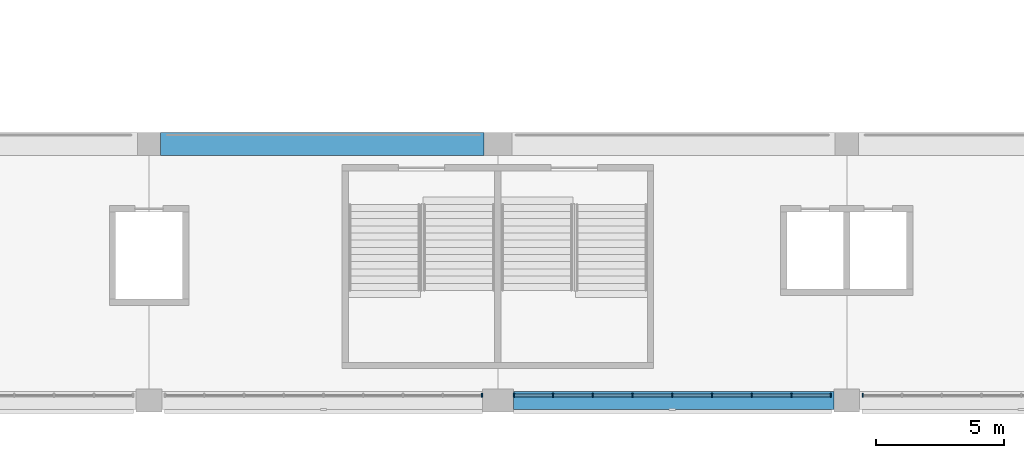
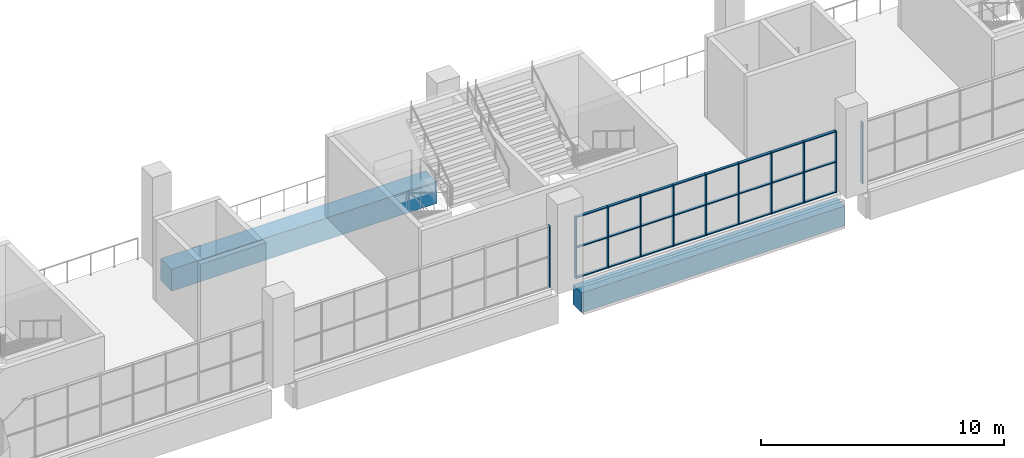
# One storey, part 10 of 177: 35 members, 2 beams, 3 elements without a shape of their own.
"""IFC4 building model written with IfcOpenShell, lengths in metres."""

from ifc_helpers import new_model, si_unit, direction, frame, origin, origin_2d, place, context, subcontext, project, spatial, rectangle, extrude, material, material_profile, profile_set, type_object, element, aggregate, save


model = new_model("IFC4")

# Units and contexts
model_context = context("Model", 3, precision=1e-05, world=origin(), true_north=direction((0.0, 1.0)))
body_context = subcontext(model_context, "Body", "Model", "MODEL_VIEW")
ifc_project = project(units=[si_unit("LENGTHUNIT", "METRE"), si_unit("AREAUNIT", "SQUARE_METRE"), si_unit("VOLUMEUNIT", "CUBIC_METRE"), si_unit("PLANEANGLEUNIT", "RADIAN"), si_unit("MASSUNIT", "GRAM", prefix="KILO")], contexts=[model_context])

# Site, building, storey
site_placement = place(None, origin())
site = spatial("IfcSite", under=ifc_project, at=site_placement, CompositionType="ELEMENT")
building_placement = place(site_placement, origin())
building = spatial("IfcBuilding", under=site, at=building_placement, Name="Ogive Plaza Stadium", CompositionType="ELEMENT")
storey_placement = place(building_placement, frame((0.0, 0.0, 18.0)))
storey = spatial("IfcBuildingStorey", under=building, at=storey_placement, Name="L04", CompositionType="ELEMENT", Elevation=18.0)

# Curtain wall, member
ifc_material_1 = material(Name="Bronze-anodised aluminium with laminated glass", Category="aluminium")
curtain_wall_type = type_object("IfcCurtainWallType", Name="Lancet curtain wall", PredefinedType="NOTDEFINED", material=ifc_material_1)
curtain_wall_1_placement = place(storey_placement, origin())
curtain_wall_1 = element("IfcCurtainWall", 1, at=curtain_wall_1_placement, inside=storey, type_object=curtain_wall_type, Name="CURTAIN WALL B12 L04", PredefinedType="NOTDEFINED")
ifc_material_2 = material(Name="Bronze-anodised aluminium", Category="aluminium")
ifc_material_profile_1 = material_profile(ifc_material_2, rectangle(XDim=0.14990234375, YDim=0.050048828125, at=origin_2d()), Name="AL 150x50")
ifc_profile_set_1 = profile_set([ifc_material_profile_1], Name="Bronze-anodised aluminium")
member_type_1 = type_object("IfcMemberType", Name="Curtain wall mullion 50x150", PredefinedType="MULLION", material=ifc_profile_set_1)
member_1_placement = place(storey_placement, frame((21.02490234375, -102.300048828125, 0.0), z_axis=(0.0, 0.0, 1.0), x_axis=(0.0, -1.0, 0.0)))
member_1 = element("IfcMember", 2, at=member_1_placement, type_object=member_type_1, Name="CW-B12-L04 mullion 9", PredefinedType="MULLION", context=body_context, shape_type="SweptSolid", body=[
    extrude(rectangle(XDim=0.14990234375, YDim=0.050048828125, at=origin_2d()), origin(), (0.0, 0.0, 1.0), 3.090087890625),
])
aggregate(curtain_wall_1, [member_1])

# Curtain wall, members
curtain_wall_2_placement = place(storey_placement, origin())
curtain_wall_2 = element("IfcCurtainWall", 3, at=curtain_wall_2_placement, inside=storey, type_object=curtain_wall_type, Name="CURTAIN WALL B13 L04", PredefinedType="NOTDEFINED")
member_2_placement = place(storey_placement, frame((19.77490234375, -102.300048828125, 0.0), z_axis=(0.0, 0.0, 1.0), x_axis=(0.0, -1.0, 0.0)))
member_2 = element("IfcMember", 4, at=member_2_placement, type_object=member_type_1, Name="CW-B13-L04 mullion 1", PredefinedType="MULLION", context=body_context, shape_type="SweptSolid", body=[
    extrude(rectangle(XDim=0.14990234375, YDim=0.050048828125, at=origin_2d()), origin(), (0.0, 0.0, 1.0), 3.090087890625),
])
member_3_placement = place(storey_placement, frame((18.25, -102.300048828125, 0.0), z_axis=(0.0, 0.0, 1.0), x_axis=(0.0, -1.0, 0.0)))
member_3 = element("IfcMember", 5, at=member_3_placement, type_object=member_type_1, Name="CW-B13-L04 mullion 2", PredefinedType="MULLION", context=body_context, shape_type="SweptSolid", body=[
    extrude(rectangle(XDim=0.14990234375, YDim=0.050048828125, at=origin_2d()), origin(), (0.0, 0.0, 1.0), 3.090087890625),
])
member_4_placement = place(storey_placement, frame((16.699951171875, -102.300048828125, 0.0), z_axis=(0.0, 0.0, 1.0), x_axis=(0.0, -1.0, 0.0)))
member_4 = element("IfcMember", 6, at=member_4_placement, type_object=member_type_1, Name="CW-B13-L04 mullion 3", PredefinedType="MULLION", context=body_context, shape_type="SweptSolid", body=[
    extrude(rectangle(XDim=0.14990234375, YDim=0.050048828125, at=origin_2d()), origin(), (0.0, 0.0, 1.0), 3.090087890625),
])
member_5_placement = place(storey_placement, frame((15.14990234375, -102.300048828125, 0.0), z_axis=(0.0, 0.0, 1.0), x_axis=(0.0, -1.0, 0.0)))
member_5 = element("IfcMember", 7, at=member_5_placement, type_object=member_type_1, Name="CW-B13-L04 mullion 4", PredefinedType="MULLION", context=body_context, shape_type="SweptSolid", body=[
    extrude(rectangle(XDim=0.14990234375, YDim=0.050048828125, at=origin_2d()), origin(), (0.0, 0.0, 1.0), 3.090087890625),
])
member_6_placement = place(storey_placement, frame((13.60009765625, -102.300048828125, 0.0), z_axis=(0.0, 0.0, 1.0), x_axis=(0.0, -1.0, 0.0)))
member_6 = element("IfcMember", 8, at=member_6_placement, type_object=member_type_1, Name="CW-B13-L04 mullion 5", PredefinedType="MULLION", context=body_context, shape_type="SweptSolid", body=[
    extrude(rectangle(XDim=0.14990234375, YDim=0.050048828125, at=origin_2d()), origin(), (0.0, 0.0, 1.0), 3.090087890625),
])
member_7_placement = place(storey_placement, frame((12.050048828125, -102.300048828125, 0.0), z_axis=(0.0, 0.0, 1.0), x_axis=(0.0, -1.0, 0.0)))
member_7 = element("IfcMember", 9, at=member_7_placement, type_object=member_type_1, Name="CW-B13-L04 mullion 6", PredefinedType="MULLION", context=body_context, shape_type="SweptSolid", body=[
    extrude(rectangle(XDim=0.14990234375, YDim=0.050048828125, at=origin_2d()), origin(), (0.0, 0.0, 1.0), 3.090087890625),
])
member_8_placement = place(storey_placement, frame((10.5, -102.300048828125, 0.0), z_axis=(0.0, 0.0, 1.0), x_axis=(0.0, -1.0, 0.0)))
member_8 = element("IfcMember", 10, at=member_8_placement, type_object=member_type_1, Name="CW-B13-L04 mullion 7", PredefinedType="MULLION", context=body_context, shape_type="SweptSolid", body=[
    extrude(rectangle(XDim=0.14990234375, YDim=0.050048828125, at=origin_2d()), origin(), (0.0, 0.0, 1.0), 3.090087890625),
])
member_9_placement = place(storey_placement, frame((8.949951171875, -102.300048828125, 0.0), z_axis=(0.0, 0.0, 1.0), x_axis=(0.0, -1.0, 0.0)))
member_9 = element("IfcMember", 11, at=member_9_placement, type_object=member_type_1, Name="CW-B13-L04 mullion 8", PredefinedType="MULLION", context=body_context, shape_type="SweptSolid", body=[
    extrude(rectangle(XDim=0.14990234375, YDim=0.050048828125, at=origin_2d()), origin(), (0.0, 0.0, 1.0), 3.090087890625),
])
member_10_placement = place(storey_placement, frame((7.425048828125, -102.300048828125, 0.0), z_axis=(0.0, 0.0, 1.0), x_axis=(0.0, -1.0, 0.0)))
member_10 = element("IfcMember", 12, at=member_10_placement, type_object=member_type_1, Name="CW-B13-L04 mullion 9", PredefinedType="MULLION", context=body_context, shape_type="SweptSolid", body=[
    extrude(rectangle(XDim=0.14990234375, YDim=0.050048828125, at=origin_2d()), origin(), (0.0, 0.0, 1.0), 3.090087890625),
])

# Curtain wall, member
curtain_wall_3_placement = place(storey_placement, origin())
curtain_wall_3 = element("IfcCurtainWall", 13, at=curtain_wall_3_placement, inside=storey, type_object=curtain_wall_type, Name="CURTAIN WALL B14 L04", PredefinedType="NOTDEFINED")
member_11_placement = place(storey_placement, frame((6.175048828125, -102.300048828125, 0.0), z_axis=(0.0, 0.0, 1.0), x_axis=(0.0, -1.0, 0.0)))
member_11 = element("IfcMember", 14, at=member_11_placement, type_object=member_type_1, Name="CW-B14-L04 mullion 1", PredefinedType="MULLION", context=body_context, shape_type="SweptSolid", body=[
    extrude(rectangle(XDim=0.14990234375, YDim=0.050048828125, at=origin_2d()), origin(), (0.0, 0.0, 1.0), 3.090087890625),
])
aggregate(curtain_wall_3, [member_11])

# Member
ifc_material_3 = material(Name="Bronze-anodised aluminium", Category="aluminium")
ifc_material_profile_2 = material_profile(ifc_material_3, rectangle(XDim=0.1201171875, YDim=0.050048828125, at=origin_2d()), Name="AL 120x50")
ifc_profile_set_2 = profile_set([ifc_material_profile_2], Name="Bronze-anodised aluminium")
member_type_2 = type_object("IfcMemberType", Name="Curtain wall transom 50x120", PredefinedType="USERDEFINED", material=ifc_profile_set_2)
member_12_placement = place(storey_placement, frame((19.75, -102.300048828125, 0.02490234375), z_axis=(-1.0, 0.0, 0.0), x_axis=(0.0, -1.0, 0.0)))
member_12 = element("IfcMember", 15, at=member_12_placement, type_object=member_type_2, Name="CW-B13-L04 transom 1.1", ObjectType="TRANSOM", PredefinedType="USERDEFINED", context=body_context, shape_type="SweptSolid", body=[
    extrude(rectangle(XDim=0.1201171875, YDim=0.050048828125, at=origin_2d()), origin(), (0.0, 0.0, 1.0), 1.47509765625),
])

member_13_placement = place(storey_placement, frame((19.75, -102.300048828125, 1.544921875), z_axis=(-1.0, 0.0, 0.0), x_axis=(0.0, -1.0, 0.0)))
member_13 = element("IfcMember", 16, at=member_13_placement, type_object=member_type_2, Name="CW-B13-L04 transom 1.2", ObjectType="TRANSOM", PredefinedType="USERDEFINED", context=body_context, shape_type="SweptSolid", body=[
    extrude(rectangle(XDim=0.1201171875, YDim=0.050048828125, at=origin_2d()), origin(), (0.0, 0.0, 1.0), 1.47509765625),
])

member_14_placement = place(storey_placement, frame((19.75, -102.300048828125, 3.06494140625), z_axis=(-1.0, 0.0, 0.0), x_axis=(0.0, -1.0, 0.0)))
member_14 = element("IfcMember", 17, at=member_14_placement, type_object=member_type_2, Name="CW-B13-L04 transom 1.3", ObjectType="TRANSOM", PredefinedType="USERDEFINED", context=body_context, shape_type="SweptSolid", body=[
    extrude(rectangle(XDim=0.1201171875, YDim=0.050048828125, at=origin_2d()), origin(), (0.0, 0.0, 1.0), 1.47509765625),
])

member_15_placement = place(storey_placement, frame((18.22509765625, -102.300048828125, 0.02490234375), z_axis=(-1.0, 0.0, 0.0), x_axis=(0.0, -1.0, 0.0)))
member_15 = element("IfcMember", 18, at=member_15_placement, type_object=member_type_2, Name="CW-B13-L04 transom 2.1", ObjectType="TRANSOM", PredefinedType="USERDEFINED", context=body_context, shape_type="SweptSolid", body=[
    extrude(rectangle(XDim=0.1201171875, YDim=0.050048828125, at=origin_2d()), origin(), (0.0, 0.0, 1.0), 1.5),
])

member_16_placement = place(storey_placement, frame((18.22509765625, -102.300048828125, 1.544921875), z_axis=(-1.0, 0.0, 0.0), x_axis=(0.0, -1.0, 0.0)))
member_16 = element("IfcMember", 19, at=member_16_placement, type_object=member_type_2, Name="CW-B13-L04 transom 2.2", ObjectType="TRANSOM", PredefinedType="USERDEFINED", context=body_context, shape_type="SweptSolid", body=[
    extrude(rectangle(XDim=0.1201171875, YDim=0.050048828125, at=origin_2d()), origin(), (0.0, 0.0, 1.0), 1.5),
])

member_17_placement = place(storey_placement, frame((18.22509765625, -102.300048828125, 3.06494140625), z_axis=(-1.0, 0.0, 0.0), x_axis=(0.0, -1.0, 0.0)))
member_17 = element("IfcMember", 20, at=member_17_placement, type_object=member_type_2, Name="CW-B13-L04 transom 2.3", ObjectType="TRANSOM", PredefinedType="USERDEFINED", context=body_context, shape_type="SweptSolid", body=[
    extrude(rectangle(XDim=0.1201171875, YDim=0.050048828125, at=origin_2d()), origin(), (0.0, 0.0, 1.0), 1.5),
])

member_18_placement = place(storey_placement, frame((16.675048828125, -102.300048828125, 0.02490234375), z_axis=(-1.0, 0.0, 0.0), x_axis=(0.0, -1.0, 0.0)))
member_18 = element("IfcMember", 21, at=member_18_placement, type_object=member_type_2, Name="CW-B13-L04 transom 3.1", ObjectType="TRANSOM", PredefinedType="USERDEFINED", context=body_context, shape_type="SweptSolid", body=[
    extrude(rectangle(XDim=0.1201171875, YDim=0.050048828125, at=origin_2d()), origin(), (0.0, 0.0, 1.0), 1.5),
])

member_19_placement = place(storey_placement, frame((16.675048828125, -102.300048828125, 1.544921875), z_axis=(-1.0, 0.0, 0.0), x_axis=(0.0, -1.0, 0.0)))
member_19 = element("IfcMember", 22, at=member_19_placement, type_object=member_type_2, Name="CW-B13-L04 transom 3.2", ObjectType="TRANSOM", PredefinedType="USERDEFINED", context=body_context, shape_type="SweptSolid", body=[
    extrude(rectangle(XDim=0.1201171875, YDim=0.050048828125, at=origin_2d()), origin(), (0.0, 0.0, 1.0), 1.5),
])

member_20_placement = place(storey_placement, frame((16.675048828125, -102.300048828125, 3.06494140625), z_axis=(-1.0, 0.0, 0.0), x_axis=(0.0, -1.0, 0.0)))
member_20 = element("IfcMember", 23, at=member_20_placement, type_object=member_type_2, Name="CW-B13-L04 transom 3.3", ObjectType="TRANSOM", PredefinedType="USERDEFINED", context=body_context, shape_type="SweptSolid", body=[
    extrude(rectangle(XDim=0.1201171875, YDim=0.050048828125, at=origin_2d()), origin(), (0.0, 0.0, 1.0), 1.5),
])

member_21_placement = place(storey_placement, frame((15.125, -102.300048828125, 0.02490234375), z_axis=(-1.0, 0.0, 0.0), x_axis=(0.0, -1.0, 0.0)))
member_21 = element("IfcMember", 24, at=member_21_placement, type_object=member_type_2, Name="CW-B13-L04 transom 4.1", ObjectType="TRANSOM", PredefinedType="USERDEFINED", context=body_context, shape_type="SweptSolid", body=[
    extrude(rectangle(XDim=0.1201171875, YDim=0.050048828125, at=origin_2d()), origin(), (0.0, 0.0, 1.0), 1.5),
])

member_22_placement = place(storey_placement, frame((15.125, -102.300048828125, 1.544921875), z_axis=(-1.0, 0.0, 0.0), x_axis=(0.0, -1.0, 0.0)))
member_22 = element("IfcMember", 25, at=member_22_placement, type_object=member_type_2, Name="CW-B13-L04 transom 4.2", ObjectType="TRANSOM", PredefinedType="USERDEFINED", context=body_context, shape_type="SweptSolid", body=[
    extrude(rectangle(XDim=0.1201171875, YDim=0.050048828125, at=origin_2d()), origin(), (0.0, 0.0, 1.0), 1.5),
])

member_23_placement = place(storey_placement, frame((15.125, -102.300048828125, 3.06494140625), z_axis=(-1.0, 0.0, 0.0), x_axis=(0.0, -1.0, 0.0)))
member_23 = element("IfcMember", 26, at=member_23_placement, type_object=member_type_2, Name="CW-B13-L04 transom 4.3", ObjectType="TRANSOM", PredefinedType="USERDEFINED", context=body_context, shape_type="SweptSolid", body=[
    extrude(rectangle(XDim=0.1201171875, YDim=0.050048828125, at=origin_2d()), origin(), (0.0, 0.0, 1.0), 1.5),
])

member_24_placement = place(storey_placement, frame((13.574951171875, -102.300048828125, 0.02490234375), z_axis=(-1.0, 0.0, 0.0), x_axis=(0.0, -1.0, 0.0)))
member_24 = element("IfcMember", 27, at=member_24_placement, type_object=member_type_2, Name="CW-B13-L04 transom 5.1", ObjectType="TRANSOM", PredefinedType="USERDEFINED", context=body_context, shape_type="SweptSolid", body=[
    extrude(rectangle(XDim=0.1201171875, YDim=0.050048828125, at=origin_2d()), origin(), (0.0, 0.0, 1.0), 1.5),
])

member_25_placement = place(storey_placement, frame((13.574951171875, -102.300048828125, 1.544921875), z_axis=(-1.0, 0.0, 0.0), x_axis=(0.0, -1.0, 0.0)))
member_25 = element("IfcMember", 28, at=member_25_placement, type_object=member_type_2, Name="CW-B13-L04 transom 5.2", ObjectType="TRANSOM", PredefinedType="USERDEFINED", context=body_context, shape_type="SweptSolid", body=[
    extrude(rectangle(XDim=0.1201171875, YDim=0.050048828125, at=origin_2d()), origin(), (0.0, 0.0, 1.0), 1.5),
])

member_26_placement = place(storey_placement, frame((13.574951171875, -102.300048828125, 3.06494140625), z_axis=(-1.0, 0.0, 0.0), x_axis=(0.0, -1.0, 0.0)))
member_26 = element("IfcMember", 29, at=member_26_placement, type_object=member_type_2, Name="CW-B13-L04 transom 5.3", ObjectType="TRANSOM", PredefinedType="USERDEFINED", context=body_context, shape_type="SweptSolid", body=[
    extrude(rectangle(XDim=0.1201171875, YDim=0.050048828125, at=origin_2d()), origin(), (0.0, 0.0, 1.0), 1.5),
])

member_27_placement = place(storey_placement, frame((12.02490234375, -102.300048828125, 0.02490234375), z_axis=(-1.0, 0.0, 0.0), x_axis=(0.0, -1.0, 0.0)))
member_27 = element("IfcMember", 30, at=member_27_placement, type_object=member_type_2, Name="CW-B13-L04 transom 6.1", ObjectType="TRANSOM", PredefinedType="USERDEFINED", context=body_context, shape_type="SweptSolid", body=[
    extrude(rectangle(XDim=0.1201171875, YDim=0.050048828125, at=origin_2d()), origin(), (0.0, 0.0, 1.0), 1.5),
])

member_28_placement = place(storey_placement, frame((12.02490234375, -102.300048828125, 1.544921875), z_axis=(-1.0, 0.0, 0.0), x_axis=(0.0, -1.0, 0.0)))
member_28 = element("IfcMember", 31, at=member_28_placement, type_object=member_type_2, Name="CW-B13-L04 transom 6.2", ObjectType="TRANSOM", PredefinedType="USERDEFINED", context=body_context, shape_type="SweptSolid", body=[
    extrude(rectangle(XDim=0.1201171875, YDim=0.050048828125, at=origin_2d()), origin(), (0.0, 0.0, 1.0), 1.5),
])

member_29_placement = place(storey_placement, frame((12.02490234375, -102.300048828125, 3.06494140625), z_axis=(-1.0, 0.0, 0.0), x_axis=(0.0, -1.0, 0.0)))
member_29 = element("IfcMember", 32, at=member_29_placement, type_object=member_type_2, Name="CW-B13-L04 transom 6.3", ObjectType="TRANSOM", PredefinedType="USERDEFINED", context=body_context, shape_type="SweptSolid", body=[
    extrude(rectangle(XDim=0.1201171875, YDim=0.050048828125, at=origin_2d()), origin(), (0.0, 0.0, 1.0), 1.5),
])

member_30_placement = place(storey_placement, frame((10.47509765625, -102.300048828125, 0.02490234375), z_axis=(-1.0, 0.0, 0.0), x_axis=(0.0, -1.0, 0.0)))
member_30 = element("IfcMember", 33, at=member_30_placement, type_object=member_type_2, Name="CW-B13-L04 transom 7.1", ObjectType="TRANSOM", PredefinedType="USERDEFINED", context=body_context, shape_type="SweptSolid", body=[
    extrude(rectangle(XDim=0.1201171875, YDim=0.050048828125, at=origin_2d()), origin(), (0.0, 0.0, 1.0), 1.5),
])

member_31_placement = place(storey_placement, frame((10.47509765625, -102.300048828125, 1.544921875), z_axis=(-1.0, 0.0, 0.0), x_axis=(0.0, -1.0, 0.0)))
member_31 = element("IfcMember", 34, at=member_31_placement, type_object=member_type_2, Name="CW-B13-L04 transom 7.2", ObjectType="TRANSOM", PredefinedType="USERDEFINED", context=body_context, shape_type="SweptSolid", body=[
    extrude(rectangle(XDim=0.1201171875, YDim=0.050048828125, at=origin_2d()), origin(), (0.0, 0.0, 1.0), 1.5),
])

member_32_placement = place(storey_placement, frame((10.47509765625, -102.300048828125, 3.06494140625), z_axis=(-1.0, 0.0, 0.0), x_axis=(0.0, -1.0, 0.0)))
member_32 = element("IfcMember", 35, at=member_32_placement, type_object=member_type_2, Name="CW-B13-L04 transom 7.3", ObjectType="TRANSOM", PredefinedType="USERDEFINED", context=body_context, shape_type="SweptSolid", body=[
    extrude(rectangle(XDim=0.1201171875, YDim=0.050048828125, at=origin_2d()), origin(), (0.0, 0.0, 1.0), 1.5),
])

member_33_placement = place(storey_placement, frame((8.925048828125, -102.300048828125, 0.02490234375), z_axis=(-1.0, 0.0, 0.0), x_axis=(0.0, -1.0, 0.0)))
member_33 = element("IfcMember", 36, at=member_33_placement, type_object=member_type_2, Name="CW-B13-L04 transom 8.1", ObjectType="TRANSOM", PredefinedType="USERDEFINED", context=body_context, shape_type="SweptSolid", body=[
    extrude(rectangle(XDim=0.1201171875, YDim=0.050048828125, at=origin_2d()), origin(), (0.0, 0.0, 1.0), 1.47509765625),
])

member_34_placement = place(storey_placement, frame((8.925048828125, -102.300048828125, 1.544921875), z_axis=(-1.0, 0.0, 0.0), x_axis=(0.0, -1.0, 0.0)))
member_34 = element("IfcMember", 37, at=member_34_placement, type_object=member_type_2, Name="CW-B13-L04 transom 8.2", ObjectType="TRANSOM", PredefinedType="USERDEFINED", context=body_context, shape_type="SweptSolid", body=[
    extrude(rectangle(XDim=0.1201171875, YDim=0.050048828125, at=origin_2d()), origin(), (0.0, 0.0, 1.0), 1.47509765625),
])

member_35_placement = place(storey_placement, frame((8.925048828125, -102.300048828125, 3.06494140625), z_axis=(-1.0, 0.0, 0.0), x_axis=(0.0, -1.0, 0.0)))
member_35 = element("IfcMember", 38, at=member_35_placement, type_object=member_type_2, Name="CW-B13-L04 transom 8.3", ObjectType="TRANSOM", PredefinedType="USERDEFINED", context=body_context, shape_type="SweptSolid", body=[
    extrude(rectangle(XDim=0.1201171875, YDim=0.050048828125, at=origin_2d()), origin(), (0.0, 0.0, 1.0), 1.47509765625),
])

aggregate(curtain_wall_2, [member_2, member_3, member_4, member_5, member_6, member_7, member_8, member_9, member_10, member_12, member_13, member_14, member_15, member_16, member_17, member_18, member_19, member_20, member_21, member_22, member_23, member_24, member_25, member_26, member_27, member_28, member_29, member_30, member_31, member_32, member_33, member_34, member_35])

# Beams
ifc_material_4 = material(Name="Concrete C40/50", Category="concrete")
ifc_material_profile_3 = material_profile(ifc_material_4, rectangle(XDim=0.89990234375, YDim=1.10009765625, at=origin_2d()), Name="RC 900x1100")
ifc_profile_set_3 = profile_set([ifc_material_profile_3], Name="Concrete C40/50")
beam_type_1 = type_object("IfcBeamType", Name="RC ring beam 900x1100", PredefinedType="BEAM", material=ifc_profile_set_3)
beam_1_placement = place(storey_placement, frame((6.25, -92.5, -0.9599609375), z_axis=(-1.0, 0.0, 0.0), x_axis=(0.0, -1.0, 0.0)))
element("IfcBeam", 39, at=beam_1_placement, inside=storey, type_object=beam_type_1, Name="Ring beam F4 L04 B14", PredefinedType="BEAM", context=body_context, shape_type="SweptSolid", body=[
    extrude(rectangle(XDim=0.89990234375, YDim=1.10009765625, at=origin_2d()), origin(), (0.0, 0.0, 1.0), 12.60009765625),
])
ifc_material_5 = material(Name="Concrete C40/50", Category="concrete")
ifc_material_profile_4 = material_profile(ifc_material_5, rectangle(XDim=0.699951171875, YDim=1.0, at=origin_2d()), Name="RC 700x1000")
ifc_profile_set_4 = profile_set([ifc_material_profile_4], Name="Concrete C40/50")
beam_type_2 = type_object("IfcBeamType", Name="RC spandrel beam 700x1000", PredefinedType="SPANDREL", material=ifc_profile_set_4)
beam_2_placement = place(storey_placement, frame((19.89990234375, -102.5, -0.909912109375), z_axis=(-1.0, 0.0, 0.0), x_axis=(0.0, -1.0, 0.0)))
element("IfcBeam", 40, at=beam_2_placement, inside=storey, type_object=beam_type_2, Name="Ring beam F5 L04 B13", PredefinedType="SPANDREL", context=body_context, shape_type="SweptSolid", body=[
    extrude(rectangle(XDim=0.699951171875, YDim=1.0, at=origin_2d()), origin(), (0.0, 0.0, 1.0), 12.5),
])

save(model, "model.ifc")
